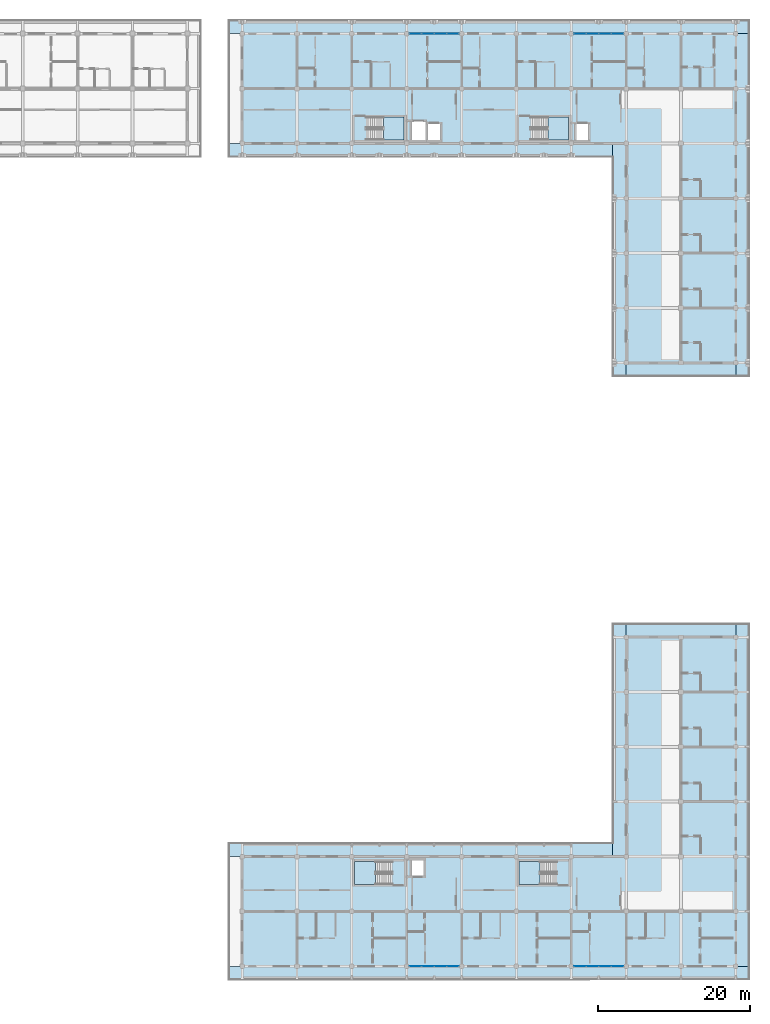
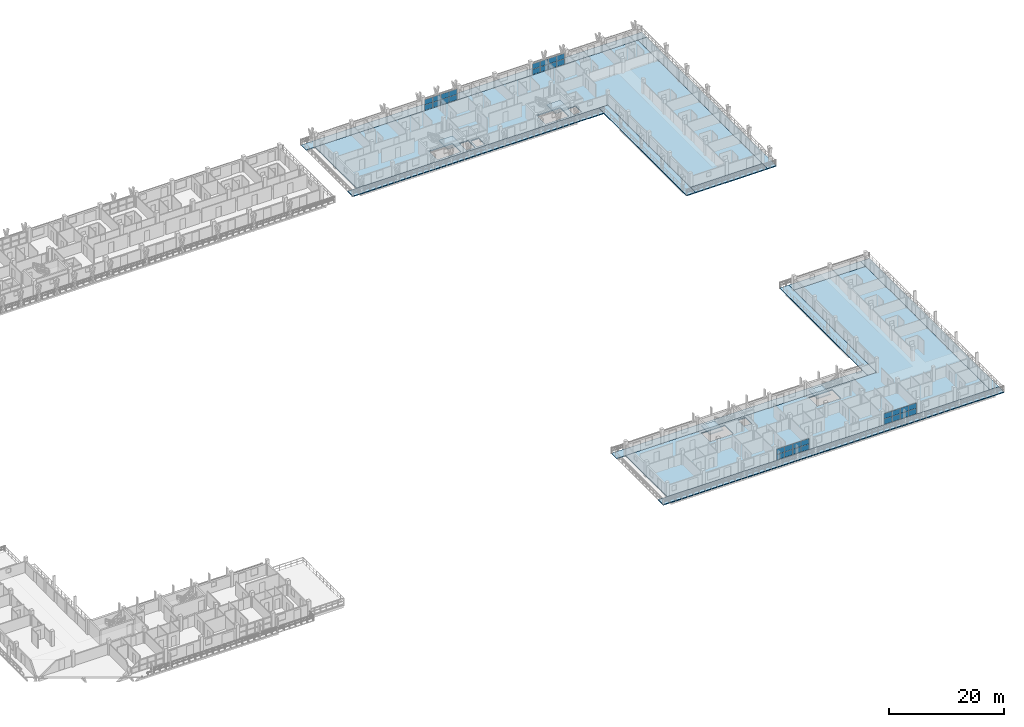
# One storey, part 37 of 78: 32 plates, 16 slabs, 8 elements without a shape of their own.
"""IFC4 building model written with IfcOpenShell, lengths in metres."""

from ifc_helpers import new_model, si_unit, direction, frame, origin, origin_2d, place, context, subcontext, project, spatial, polyline, rectangle, outline, extrude, material, layer, layer_set, type_object, element, aggregate, save


model = new_model("IFC4")

# Units and contexts
model_context = context("Model", 3, precision=1e-05, world=origin(), true_north=direction((0.0, 1.0)))
body_context = subcontext(model_context, "Body", "Model", "MODEL_VIEW")
ifc_project = project(units=[si_unit("LENGTHUNIT", "METRE"), si_unit("AREAUNIT", "SQUARE_METRE"), si_unit("VOLUMEUNIT", "CUBIC_METRE"), si_unit("PLANEANGLEUNIT", "RADIAN"), si_unit("MASSUNIT", "GRAM", prefix="KILO")], contexts=[model_context])

# Site, building, storey
site_placement = place(None, origin())
site = spatial("IfcSite", under=ifc_project, at=site_placement, CompositionType="ELEMENT")
building_placement = place(site_placement, origin())
building = spatial("IfcBuilding", under=site, at=building_placement, Name="Suanplinth Sawtooth Commons", CompositionType="ELEMENT")
storey_placement = place(building_placement, frame((0.0, 0.0, 15.39990234375)))
storey = spatial("IfcBuildingStorey", under=building, at=storey_placement, Name="L04", CompositionType="ELEMENT", Elevation=15.39990234375)

# Curtain wall, plates
ifc_material_1 = material(Name="Anodized aluminium and low-E glazing", Category="aluminium")
curtain_wall_type = type_object("IfcCurtainWallType", Name="CW-06", PredefinedType="USERDEFINED", material=ifc_material_1)
curtain_wall_1_placement = place(storey_placement, origin())
curtain_wall_1 = element("IfcCurtainWall", 1, at=curtain_wall_1_placement, inside=storey, type_object=curtain_wall_type, Name="Curtain Wall CW-L04-B-LOUNGE-20", ObjectType="CURTAIN WALL", PredefinedType="USERDEFINED")
ifc_material_2 = material(Name="Tempered low-E double glazing", Category="glass")
ifc_layer_1 = layer(ifc_material_2, 0.028076171875, Name="Vision low-E insulated glazing unit 28mm")
ifc_layer_set_1 = layer_set([ifc_layer_1], Name="Tempered low-E double glazing")
plate_type = type_object("IfcPlateType", Name="PL-05", PredefinedType="CURTAIN_PANEL", material=ifc_layer_set_1)
plate_1_placement = place(storey_placement, frame((145.141357421875, 122.39990234375, 0.06494140625), z_axis=(0.0, 0.0, 1.0), x_axis=(1.0, 0.0, 0.0)))
plate_1 = element("IfcPlate", 2, at=plate_1_placement, type_object=plate_type, Name="CW-06 panel 1.1", PredefinedType="CURTAIN_PANEL", context=body_context, shape_type="SweptSolid", body=[
    extrude(rectangle(XDim=1.552490234375, YDim=0.028076171875, at=origin_2d()), origin(), (0.0, 0.0, 1.0), 1.117431640625),
])
plate_2_placement = place(storey_placement, frame((145.141357421875, 122.39990234375, 1.24755859375), z_axis=(0.0, 0.0, 1.0), x_axis=(1.0, 0.0, 0.0)))
plate_2 = element("IfcPlate", 3, at=plate_2_placement, type_object=plate_type, Name="CW-06 panel 1.2", PredefinedType="CURTAIN_PANEL", context=body_context, shape_type="SweptSolid", body=[
    extrude(rectangle(XDim=1.552490234375, YDim=0.028076171875, at=origin_2d()), origin(), (0.0, 0.0, 1.0), 1.117431640625),
])
plate_3_placement = place(storey_placement, frame((146.77490234375, 122.39990234375, 0.06494140625), z_axis=(0.0, 0.0, 1.0), x_axis=(1.0, 0.0, 0.0)))
plate_3 = element("IfcPlate", 4, at=plate_3_placement, type_object=plate_type, Name="CW-06 panel 2.1", PredefinedType="CURTAIN_PANEL", context=body_context, shape_type="SweptSolid", body=[
    extrude(rectangle(XDim=1.5849609375, YDim=0.028076171875, at=origin_2d()), origin(), (0.0, 0.0, 1.0), 1.117431640625),
])
plate_4_placement = place(storey_placement, frame((146.77490234375, 122.39990234375, 1.24755859375), z_axis=(0.0, 0.0, 1.0), x_axis=(1.0, 0.0, 0.0)))
plate_4 = element("IfcPlate", 5, at=plate_4_placement, type_object=plate_type, Name="CW-06 panel 2.2", PredefinedType="CURTAIN_PANEL", context=body_context, shape_type="SweptSolid", body=[
    extrude(rectangle(XDim=1.5849609375, YDim=0.028076171875, at=origin_2d()), origin(), (0.0, 0.0, 1.0), 1.117431640625),
])
plate_5_placement = place(storey_placement, frame((148.425048828125, 122.39990234375, 0.06494140625), z_axis=(0.0, 0.0, 1.0), x_axis=(1.0, 0.0, 0.0)))
plate_5 = element("IfcPlate", 6, at=plate_5_placement, type_object=plate_type, Name="CW-06 panel 3.1", PredefinedType="CURTAIN_PANEL", context=body_context, shape_type="SweptSolid", body=[
    extrude(rectangle(XDim=1.5849609375, YDim=0.028076171875, at=origin_2d()), origin(), (0.0, 0.0, 1.0), 1.117431640625),
])
plate_6_placement = place(storey_placement, frame((148.425048828125, 122.39990234375, 1.24755859375), z_axis=(0.0, 0.0, 1.0), x_axis=(1.0, 0.0, 0.0)))
plate_6 = element("IfcPlate", 7, at=plate_6_placement, type_object=plate_type, Name="CW-06 panel 3.2", PredefinedType="CURTAIN_PANEL", context=body_context, shape_type="SweptSolid", body=[
    extrude(rectangle(XDim=1.5849609375, YDim=0.028076171875, at=origin_2d()), origin(), (0.0, 0.0, 1.0), 1.117431640625),
])
plate_7_placement = place(storey_placement, frame((150.058837890625, 122.39990234375, 0.06494140625), z_axis=(0.0, 0.0, 1.0), x_axis=(1.0, 0.0, 0.0)))
plate_7 = element("IfcPlate", 8, at=plate_7_placement, type_object=plate_type, Name="CW-06 panel 4.1", PredefinedType="CURTAIN_PANEL", context=body_context, shape_type="SweptSolid", body=[
    extrude(rectangle(XDim=1.552490234375, YDim=0.028076171875, at=origin_2d()), origin(), (0.0, 0.0, 1.0), 1.117431640625),
])
plate_8_placement = place(storey_placement, frame((150.058837890625, 122.39990234375, 1.24755859375), z_axis=(0.0, 0.0, 1.0), x_axis=(1.0, 0.0, 0.0)))
plate_8 = element("IfcPlate", 9, at=plate_8_placement, type_object=plate_type, Name="CW-06 panel 4.2", PredefinedType="CURTAIN_PANEL", context=body_context, shape_type="SweptSolid", body=[
    extrude(rectangle(XDim=1.552490234375, YDim=0.028076171875, at=origin_2d()), origin(), (0.0, 0.0, 1.0), 1.117431640625),
])
aggregate(curtain_wall_1, [plate_1, plate_2, plate_3, plate_4, plate_5, plate_6, plate_7, plate_8])

curtain_wall_2_placement = place(storey_placement, origin())
curtain_wall_2 = element("IfcCurtainWall", 10, at=curtain_wall_2_placement, inside=storey, type_object=curtain_wall_type, Name="Curtain Wall CW-L04-B-LOUNGE-23", ObjectType="CURTAIN WALL", PredefinedType="USERDEFINED")
plate_9_placement = place(storey_placement, frame((166.7412109375, 122.39990234375, 0.06494140625), z_axis=(0.0, 0.0, 1.0), x_axis=(1.0, 0.0, 0.0)))
plate_9 = element("IfcPlate", 11, at=plate_9_placement, type_object=plate_type, Name="CW-06 panel 1.1", PredefinedType="CURTAIN_PANEL", context=body_context, shape_type="SweptSolid", body=[
    extrude(rectangle(XDim=1.552490234375, YDim=0.028076171875, at=origin_2d()), origin(), (0.0, 0.0, 1.0), 1.117431640625),
])
plate_10_placement = place(storey_placement, frame((166.7412109375, 122.39990234375, 1.24755859375), z_axis=(0.0, 0.0, 1.0), x_axis=(1.0, 0.0, 0.0)))
plate_10 = element("IfcPlate", 12, at=plate_10_placement, type_object=plate_type, Name="CW-06 panel 1.2", PredefinedType="CURTAIN_PANEL", context=body_context, shape_type="SweptSolid", body=[
    extrude(rectangle(XDim=1.552490234375, YDim=0.028076171875, at=origin_2d()), origin(), (0.0, 0.0, 1.0), 1.117431640625),
])
plate_11_placement = place(storey_placement, frame((168.375, 122.39990234375, 0.06494140625), z_axis=(0.0, 0.0, 1.0), x_axis=(1.0, 0.0, 0.0)))
plate_11 = element("IfcPlate", 13, at=plate_11_placement, type_object=plate_type, Name="CW-06 panel 2.1", PredefinedType="CURTAIN_PANEL", context=body_context, shape_type="SweptSolid", body=[
    extrude(rectangle(XDim=1.5849609375, YDim=0.028076171875, at=origin_2d()), origin(), (0.0, 0.0, 1.0), 1.117431640625),
])
plate_12_placement = place(storey_placement, frame((168.375, 122.39990234375, 1.24755859375), z_axis=(0.0, 0.0, 1.0), x_axis=(1.0, 0.0, 0.0)))
plate_12 = element("IfcPlate", 14, at=plate_12_placement, type_object=plate_type, Name="CW-06 panel 2.2", PredefinedType="CURTAIN_PANEL", context=body_context, shape_type="SweptSolid", body=[
    extrude(rectangle(XDim=1.5849609375, YDim=0.028076171875, at=origin_2d()), origin(), (0.0, 0.0, 1.0), 1.117431640625),
])
plate_13_placement = place(storey_placement, frame((170.02490234375, 122.39990234375, 0.06494140625), z_axis=(0.0, 0.0, 1.0), x_axis=(1.0, 0.0, 0.0)))
plate_13 = element("IfcPlate", 15, at=plate_13_placement, type_object=plate_type, Name="CW-06 panel 3.1", PredefinedType="CURTAIN_PANEL", context=body_context, shape_type="SweptSolid", body=[
    extrude(rectangle(XDim=1.5849609375, YDim=0.028076171875, at=origin_2d()), origin(), (0.0, 0.0, 1.0), 1.117431640625),
])
plate_14_placement = place(storey_placement, frame((170.02490234375, 122.39990234375, 1.24755859375), z_axis=(0.0, 0.0, 1.0), x_axis=(1.0, 0.0, 0.0)))
plate_14 = element("IfcPlate", 16, at=plate_14_placement, type_object=plate_type, Name="CW-06 panel 3.2", PredefinedType="CURTAIN_PANEL", context=body_context, shape_type="SweptSolid", body=[
    extrude(rectangle(XDim=1.5849609375, YDim=0.028076171875, at=origin_2d()), origin(), (0.0, 0.0, 1.0), 1.117431640625),
])
plate_15_placement = place(storey_placement, frame((171.65869140625, 122.39990234375, 0.06494140625), z_axis=(0.0, 0.0, 1.0), x_axis=(1.0, 0.0, 0.0)))
plate_15 = element("IfcPlate", 17, at=plate_15_placement, type_object=plate_type, Name="CW-06 panel 4.1", PredefinedType="CURTAIN_PANEL", context=body_context, shape_type="SweptSolid", body=[
    extrude(rectangle(XDim=1.552490234375, YDim=0.028076171875, at=origin_2d()), origin(), (0.0, 0.0, 1.0), 1.117431640625),
])
plate_16_placement = place(storey_placement, frame((171.65869140625, 122.39990234375, 1.24755859375), z_axis=(0.0, 0.0, 1.0), x_axis=(1.0, 0.0, 0.0)))
plate_16 = element("IfcPlate", 18, at=plate_16_placement, type_object=plate_type, Name="CW-06 panel 4.2", PredefinedType="CURTAIN_PANEL", context=body_context, shape_type="SweptSolid", body=[
    extrude(rectangle(XDim=1.552490234375, YDim=0.028076171875, at=origin_2d()), origin(), (0.0, 0.0, 1.0), 1.117431640625),
])
aggregate(curtain_wall_2, [plate_9, plate_10, plate_11, plate_12, plate_13, plate_14, plate_15, plate_16])

curtain_wall_3_placement = place(storey_placement, origin())
curtain_wall_3 = element("IfcCurtainWall", 19, at=curtain_wall_3_placement, inside=storey, type_object=curtain_wall_type, Name="Curtain Wall CW-L04-C-LOUNGE-20", ObjectType="CURTAIN WALL", PredefinedType="USERDEFINED")
plate_17_placement = place(storey_placement, frame((145.141357421875, 0.0, 0.06494140625), z_axis=(0.0, 0.0, 1.0), x_axis=(1.0, 0.0, 0.0)))
plate_17 = element("IfcPlate", 20, at=plate_17_placement, type_object=plate_type, Name="CW-06 panel 1.1", PredefinedType="CURTAIN_PANEL", context=body_context, shape_type="SweptSolid", body=[
    extrude(rectangle(XDim=1.552490234375, YDim=0.028076171875, at=origin_2d()), origin(), (0.0, 0.0, 1.0), 1.117431640625),
])
plate_18_placement = place(storey_placement, frame((145.141357421875, 0.0, 1.24755859375), z_axis=(0.0, 0.0, 1.0), x_axis=(1.0, 0.0, 0.0)))
plate_18 = element("IfcPlate", 21, at=plate_18_placement, type_object=plate_type, Name="CW-06 panel 1.2", PredefinedType="CURTAIN_PANEL", context=body_context, shape_type="SweptSolid", body=[
    extrude(rectangle(XDim=1.552490234375, YDim=0.028076171875, at=origin_2d()), origin(), (0.0, 0.0, 1.0), 1.117431640625),
])
plate_19_placement = place(storey_placement, frame((146.77490234375, 0.0, 0.06494140625), z_axis=(0.0, 0.0, 1.0), x_axis=(1.0, 0.0, 0.0)))
plate_19 = element("IfcPlate", 22, at=plate_19_placement, type_object=plate_type, Name="CW-06 panel 2.1", PredefinedType="CURTAIN_PANEL", context=body_context, shape_type="SweptSolid", body=[
    extrude(rectangle(XDim=1.5849609375, YDim=0.028076171875, at=origin_2d()), origin(), (0.0, 0.0, 1.0), 1.117431640625),
])
plate_20_placement = place(storey_placement, frame((146.77490234375, 0.0, 1.24755859375), z_axis=(0.0, 0.0, 1.0), x_axis=(1.0, 0.0, 0.0)))
plate_20 = element("IfcPlate", 23, at=plate_20_placement, type_object=plate_type, Name="CW-06 panel 2.2", PredefinedType="CURTAIN_PANEL", context=body_context, shape_type="SweptSolid", body=[
    extrude(rectangle(XDim=1.5849609375, YDim=0.028076171875, at=origin_2d()), origin(), (0.0, 0.0, 1.0), 1.117431640625),
])
plate_21_placement = place(storey_placement, frame((148.425048828125, 0.0, 0.06494140625), z_axis=(0.0, 0.0, 1.0), x_axis=(1.0, 0.0, 0.0)))
plate_21 = element("IfcPlate", 24, at=plate_21_placement, type_object=plate_type, Name="CW-06 panel 3.1", PredefinedType="CURTAIN_PANEL", context=body_context, shape_type="SweptSolid", body=[
    extrude(rectangle(XDim=1.5849609375, YDim=0.028076171875, at=origin_2d()), origin(), (0.0, 0.0, 1.0), 1.117431640625),
])
plate_22_placement = place(storey_placement, frame((148.425048828125, 0.0, 1.24755859375), z_axis=(0.0, 0.0, 1.0), x_axis=(1.0, 0.0, 0.0)))
plate_22 = element("IfcPlate", 25, at=plate_22_placement, type_object=plate_type, Name="CW-06 panel 3.2", PredefinedType="CURTAIN_PANEL", context=body_context, shape_type="SweptSolid", body=[
    extrude(rectangle(XDim=1.5849609375, YDim=0.028076171875, at=origin_2d()), origin(), (0.0, 0.0, 1.0), 1.117431640625),
])
plate_23_placement = place(storey_placement, frame((150.058837890625, 0.0, 0.06494140625), z_axis=(0.0, 0.0, 1.0), x_axis=(1.0, 0.0, 0.0)))
plate_23 = element("IfcPlate", 26, at=plate_23_placement, type_object=plate_type, Name="CW-06 panel 4.1", PredefinedType="CURTAIN_PANEL", context=body_context, shape_type="SweptSolid", body=[
    extrude(rectangle(XDim=1.552490234375, YDim=0.028076171875, at=origin_2d()), origin(), (0.0, 0.0, 1.0), 1.117431640625),
])
plate_24_placement = place(storey_placement, frame((150.058837890625, 0.0, 1.24755859375), z_axis=(0.0, 0.0, 1.0), x_axis=(1.0, 0.0, 0.0)))
plate_24 = element("IfcPlate", 27, at=plate_24_placement, type_object=plate_type, Name="CW-06 panel 4.2", PredefinedType="CURTAIN_PANEL", context=body_context, shape_type="SweptSolid", body=[
    extrude(rectangle(XDim=1.552490234375, YDim=0.028076171875, at=origin_2d()), origin(), (0.0, 0.0, 1.0), 1.117431640625),
])
aggregate(curtain_wall_3, [plate_17, plate_18, plate_19, plate_20, plate_21, plate_22, plate_23, plate_24])

curtain_wall_4_placement = place(storey_placement, origin())
curtain_wall_4 = element("IfcCurtainWall", 28, at=curtain_wall_4_placement, inside=storey, type_object=curtain_wall_type, Name="Curtain Wall CW-L04-C-LOUNGE-23", ObjectType="CURTAIN WALL", PredefinedType="USERDEFINED")
plate_25_placement = place(storey_placement, frame((166.7412109375, 0.0, 0.06494140625), z_axis=(0.0, 0.0, 1.0), x_axis=(1.0, 0.0, 0.0)))
plate_25 = element("IfcPlate", 29, at=plate_25_placement, type_object=plate_type, Name="CW-06 panel 1.1", PredefinedType="CURTAIN_PANEL", context=body_context, shape_type="SweptSolid", body=[
    extrude(rectangle(XDim=1.552490234375, YDim=0.028076171875, at=origin_2d()), origin(), (0.0, 0.0, 1.0), 1.117431640625),
])
plate_26_placement = place(storey_placement, frame((166.7412109375, 0.0, 1.24755859375), z_axis=(0.0, 0.0, 1.0), x_axis=(1.0, 0.0, 0.0)))
plate_26 = element("IfcPlate", 30, at=plate_26_placement, type_object=plate_type, Name="CW-06 panel 1.2", PredefinedType="CURTAIN_PANEL", context=body_context, shape_type="SweptSolid", body=[
    extrude(rectangle(XDim=1.552490234375, YDim=0.028076171875, at=origin_2d()), origin(), (0.0, 0.0, 1.0), 1.117431640625),
])
plate_27_placement = place(storey_placement, frame((168.375, 0.0, 0.06494140625), z_axis=(0.0, 0.0, 1.0), x_axis=(1.0, 0.0, 0.0)))
plate_27 = element("IfcPlate", 31, at=plate_27_placement, type_object=plate_type, Name="CW-06 panel 2.1", PredefinedType="CURTAIN_PANEL", context=body_context, shape_type="SweptSolid", body=[
    extrude(rectangle(XDim=1.5849609375, YDim=0.028076171875, at=origin_2d()), origin(), (0.0, 0.0, 1.0), 1.117431640625),
])
plate_28_placement = place(storey_placement, frame((168.375, 0.0, 1.24755859375), z_axis=(0.0, 0.0, 1.0), x_axis=(1.0, 0.0, 0.0)))
plate_28 = element("IfcPlate", 32, at=plate_28_placement, type_object=plate_type, Name="CW-06 panel 2.2", PredefinedType="CURTAIN_PANEL", context=body_context, shape_type="SweptSolid", body=[
    extrude(rectangle(XDim=1.5849609375, YDim=0.028076171875, at=origin_2d()), origin(), (0.0, 0.0, 1.0), 1.117431640625),
])
plate_29_placement = place(storey_placement, frame((170.02490234375, 0.0, 0.06494140625), z_axis=(0.0, 0.0, 1.0), x_axis=(1.0, 0.0, 0.0)))
plate_29 = element("IfcPlate", 33, at=plate_29_placement, type_object=plate_type, Name="CW-06 panel 3.1", PredefinedType="CURTAIN_PANEL", context=body_context, shape_type="SweptSolid", body=[
    extrude(rectangle(XDim=1.5849609375, YDim=0.028076171875, at=origin_2d()), origin(), (0.0, 0.0, 1.0), 1.117431640625),
])
plate_30_placement = place(storey_placement, frame((170.02490234375, 0.0, 1.24755859375), z_axis=(0.0, 0.0, 1.0), x_axis=(1.0, 0.0, 0.0)))
plate_30 = element("IfcPlate", 34, at=plate_30_placement, type_object=plate_type, Name="CW-06 panel 3.2", PredefinedType="CURTAIN_PANEL", context=body_context, shape_type="SweptSolid", body=[
    extrude(rectangle(XDim=1.5849609375, YDim=0.028076171875, at=origin_2d()), origin(), (0.0, 0.0, 1.0), 1.117431640625),
])
plate_31_placement = place(storey_placement, frame((171.65869140625, 0.0, 0.06494140625), z_axis=(0.0, 0.0, 1.0), x_axis=(1.0, 0.0, 0.0)))
plate_31 = element("IfcPlate", 35, at=plate_31_placement, type_object=plate_type, Name="CW-06 panel 4.1", PredefinedType="CURTAIN_PANEL", context=body_context, shape_type="SweptSolid", body=[
    extrude(rectangle(XDim=1.552490234375, YDim=0.028076171875, at=origin_2d()), origin(), (0.0, 0.0, 1.0), 1.117431640625),
])
plate_32_placement = place(storey_placement, frame((171.65869140625, 0.0, 1.24755859375), z_axis=(0.0, 0.0, 1.0), x_axis=(1.0, 0.0, 0.0)))
plate_32 = element("IfcPlate", 36, at=plate_32_placement, type_object=plate_type, Name="CW-06 panel 4.2", PredefinedType="CURTAIN_PANEL", context=body_context, shape_type="SweptSolid", body=[
    extrude(rectangle(XDim=1.552490234375, YDim=0.028076171875, at=origin_2d()), origin(), (0.0, 0.0, 1.0), 1.117431640625),
])
aggregate(curtain_wall_4, [plate_25, plate_26, plate_27, plate_28, plate_29, plate_30, plate_31, plate_32])

# Slabs
ifc_material_3 = material(Name="Precast concrete C40/50", Category="concrete")
ifc_layer_2 = layer(ifc_material_3, 0.179931640625, Name="Wrap-around cantilevered precast balcony slab 180mm")
ifc_layer_set_2 = layer_set([ifc_layer_2], Name="Precast concrete C40/50")
slab_type_1 = type_object("IfcSlabType", Name="S-BL01", PredefinedType="FLOOR", material=ifc_layer_set_2)
slab_1_placement = place(storey_placement, frame((0.0, 0.0, -0.179931640625)))
element("IfcSlab", 37, at=slab_1_placement, inside=storey, type_object=slab_type_1, Name="L04 Block B Wrap-Around Balcony N", PredefinedType="FLOOR", context=body_context, shape_type="SweptSolid", body=[
    extrude(outline(polyline([(120.60009765625, 122.39990234375), (120.60009765625, 124.199951171875), (189.0, 124.199951171875), (189.0, 122.39990234375), (120.60009765625, 122.39990234375)])), origin(), (0.0, 0.0, 1.0), 0.179931640625),
])
slab_2_placement = place(storey_placement, frame((0.0, 0.0, -0.179931640625)))
element("IfcSlab", 38, at=slab_2_placement, inside=storey, type_object=slab_type_1, Name="L04 Block B Wrap-Around Balcony E", PredefinedType="FLOOR", context=body_context, shape_type="SweptSolid", body=[
    extrude(outline(polyline([(189.0, 122.39990234375), (189.0, 77.39990234375), (187.199951171875, 77.39990234375), (187.199951171875, 122.39990234375), (189.0, 122.39990234375)])), origin(), (0.0, 0.0, 1.0), 0.179931640625),
])
slab_3_placement = place(storey_placement, frame((0.0, 0.0, -0.179931640625)))
element("IfcSlab", 39, at=slab_3_placement, inside=storey, type_object=slab_type_1, Name="L04 Block B Wrap-Around Balcony SEND", PredefinedType="FLOOR", context=body_context, shape_type="SweptSolid", body=[
    extrude(outline(polyline([(187.199951171875, 77.39990234375), (172.800048828125, 77.39990234375), (172.800048828125, 79.199951171875), (187.199951171875, 79.199951171875), (187.199951171875, 77.39990234375)])), origin(), (0.0, 0.0, 1.0), 0.179931640625),
])
slab_4_placement = place(storey_placement, frame((0.0, 0.0, -0.179931640625)))
element("IfcSlab", 40, at=slab_4_placement, inside=storey, type_object=slab_type_1, Name="L04 Block C Wrap-Around Balcony S", PredefinedType="FLOOR", context=body_context, shape_type="SweptSolid", body=[
    extrude(outline(polyline([(189.0, 0.0), (189.0, -1.800048828125), (120.60009765625, -1.800048828125), (120.60009765625, 0.0), (189.0, 0.0)])), origin(), (0.0, 0.0, 1.0), 0.179931640625),
])
slab_5_placement = place(storey_placement, frame((0.0, 0.0, -0.179931640625)))
element("IfcSlab", 41, at=slab_5_placement, inside=storey, type_object=slab_type_1, Name="L04 Block C Wrap-Around Balcony E", PredefinedType="FLOOR", context=body_context, shape_type="SweptSolid", body=[
    extrude(outline(polyline([(187.199951171875, 45.0), (189.0, 45.0), (189.0, 0.0), (187.199951171875, 0.0), (187.199951171875, 45.0)])), origin(), (0.0, 0.0, 1.0), 0.179931640625),
])
slab_6_placement = place(storey_placement, frame((0.0, 0.0, -0.179931640625)))
element("IfcSlab", 42, at=slab_6_placement, inside=storey, type_object=slab_type_1, Name="L04 Block C Wrap-Around Balcony NEND", PredefinedType="FLOOR", context=body_context, shape_type="SweptSolid", body=[
    extrude(outline(polyline([(172.800048828125, 45.0), (187.199951171875, 45.0), (187.199951171875, 43.199951171875), (172.800048828125, 43.199951171875), (172.800048828125, 45.0)])), origin(), (0.0, 0.0, 1.0), 0.179931640625),
])
ifc_layer_3 = layer(ifc_material_3, 0.175048828125, Name="Courtyard cantilevered precast balcony slab 175mm")
ifc_layer_set_3 = layer_set([ifc_layer_3], Name="Precast concrete C40/50")
slab_type_2 = type_object("IfcSlabType", Name="S-BL02", PredefinedType="FLOOR", material=ifc_layer_set_3)
slab_7_placement = place(storey_placement, frame((0.0, 0.0, -0.1748046875)))
element("IfcSlab", 43, at=slab_7_placement, inside=storey, type_object=slab_type_2, Name="L04 Block B Wrap-Around Balcony SC", PredefinedType="FLOOR", context=body_context, shape_type="SweptSolid", body=[
    extrude(outline(polyline([(171.0, 106.199951171875), (120.60009765625, 106.199951171875), (120.60009765625, 108.0), (171.0, 108.0), (171.0, 106.199951171875)])), origin(), (0.0, 0.0, 1.0), 0.1748046875),
])
slab_8_placement = place(storey_placement, frame((0.0, 0.0, -0.1748046875)))
element("IfcSlab", 44, at=slab_8_placement, inside=storey, type_object=slab_type_2, Name="L04 Block B Wrap-Around Balcony WC", PredefinedType="FLOOR", context=body_context, shape_type="SweptSolid", body=[
    extrude(outline(polyline([(172.800048828125, 77.39990234375), (171.0, 77.39990234375), (171.0, 108.0), (172.800048828125, 108.0), (172.800048828125, 77.39990234375)])), origin(), (0.0, 0.0, 1.0), 0.1748046875),
])
slab_9_placement = place(storey_placement, frame((0.0, 0.0, -0.1748046875)))
element("IfcSlab", 45, at=slab_9_placement, inside=storey, type_object=slab_type_2, Name="L04 Block C Wrap-Around Balcony NC", PredefinedType="FLOOR", context=body_context, shape_type="SweptSolid", body=[
    extrude(outline(polyline([(120.60009765625, 14.39990234375), (120.60009765625, 16.199951171875), (171.0, 16.199951171875), (171.0, 14.39990234375), (120.60009765625, 14.39990234375)])), origin(), (0.0, 0.0, 1.0), 0.1748046875),
])
slab_10_placement = place(storey_placement, frame((0.0, 0.0, -0.1748046875)))
element("IfcSlab", 46, at=slab_10_placement, inside=storey, type_object=slab_type_2, Name="L04 Block C Wrap-Around Balcony WC", PredefinedType="FLOOR", context=body_context, shape_type="SweptSolid", body=[
    extrude(outline(polyline([(172.800048828125, 14.39990234375), (171.0, 14.39990234375), (171.0, 45.0), (172.800048828125, 45.0), (172.800048828125, 14.39990234375)])), origin(), (0.0, 0.0, 1.0), 0.1748046875),
])
ifc_layer_4 = layer(ifc_material_3, 0.219970703125, Name="Precast hollow-core + topping floor slab 220mm")
ifc_layer_set_4 = layer_set([ifc_layer_4], Name="Precast concrete C40/50")
slab_type_3 = type_object("IfcSlabType", Name="S-FL03", PredefinedType="FLOOR", material=ifc_layer_set_4)
slab_11_placement = place(storey_placement, frame((0.0, 0.0, -0.219970703125)))
element("IfcSlab", 47, at=slab_11_placement, inside=storey, type_object=slab_type_3, Name="L04 Block B Structural Floor Plate", PredefinedType="FLOOR", context=body_context, shape_type="SweptSolid", body=[
    extrude(outline(polyline([(172.800048828125, 108.0), (122.39990234375, 108.0), (122.39990234375, 122.39990234375), (187.199951171875, 122.39990234375), (187.199951171875, 79.199951171875), (172.800048828125, 79.199951171875), (172.800048828125, 108.0)]), holes=[polyline([(138.889892578125, 108.449951171875), (143.64990234375, 108.449951171875), (143.64990234375, 111.449951171875), (138.889892578125, 111.449951171875), (138.889892578125, 108.449951171875)]), polyline([(144.64990234375, 108.449951171875), (146.449951171875, 108.449951171875), (146.449951171875, 110.85009765625), (144.64990234375, 110.85009765625), (144.64990234375, 108.449951171875)]), polyline([(146.800048828125, 108.449951171875), (148.39990234375, 108.449951171875), (148.39990234375, 110.550048828125), (146.800048828125, 110.550048828125), (146.800048828125, 108.449951171875)]), polyline([(160.489990234375, 108.449951171875), (165.25, 108.449951171875), (165.25, 111.449951171875), (160.489990234375, 111.449951171875), (160.489990234375, 108.449951171875)]), polyline([(166.25, 108.449951171875), (167.85009765625, 108.449951171875), (167.85009765625, 110.550048828125), (166.25, 110.550048828125), (166.25, 108.449951171875)])]), origin(), (0.0, 0.0, 1.0), 0.219970703125),
])
slab_12_placement = place(storey_placement, frame((0.0, 0.0, -0.219970703125)))
element("IfcSlab", 48, at=slab_12_placement, inside=storey, type_object=slab_type_3, Name="L04 Block C Structural Floor Plate", PredefinedType="FLOOR", context=body_context, shape_type="SweptSolid", body=[
    extrude(outline(polyline([(187.199951171875, 0.0), (122.39990234375, 0.0), (122.39990234375, 14.39990234375), (172.800048828125, 14.39990234375), (172.800048828125, 43.199951171875), (187.199951171875, 43.199951171875), (187.199951171875, 0.0)]), holes=[polyline([(137.14990234375, 10.75), (141.909912109375, 10.75), (141.909912109375, 13.75), (137.14990234375, 13.75), (137.14990234375, 10.75)]), polyline([(144.64990234375, 11.85009765625), (146.25, 11.85009765625), (146.25, 13.949951171875), (144.64990234375, 13.949951171875), (144.64990234375, 11.85009765625)]), polyline([(158.75, 10.75), (163.510009765625, 10.75), (163.510009765625, 13.75), (158.75, 13.75), (158.75, 10.75)])]), origin(), (0.0, 0.0, 1.0), 0.219970703125),
])

# Stair, slab
ifc_material_4 = material(Name="Concrete C40/50", Category="concrete")
stair_type = type_object("IfcStairType", Name="ST-07", PredefinedType="USERDEFINED", material=ifc_material_4)
stair_1_placement = place(storey_placement, origin())
stair_1 = element("IfcStair", 49, at=stair_1_placement, inside=storey, type_object=stair_type, Name="L04 Exit Stair ST-E1", ObjectType="TWO_RETURN_STAIR", PredefinedType="USERDEFINED")
ifc_layer_5 = layer(ifc_material_4, 0.199951171875, Name="Reinforced concrete stair and ramp landing slab 200mm")
ifc_layer_set_5 = layer_set([ifc_layer_5], Name="Concrete C40/50")
slab_type_4 = type_object("IfcSlabType", Name="S-LD01", PredefinedType="LANDING", material=ifc_layer_set_5)
slab_13_placement = place(storey_placement, frame((0.0, 0.0, 1.400146484375)))
slab_13 = element("IfcSlab", 50, at=slab_13_placement, type_object=slab_type_4, Name="ST-07 landing 1", PredefinedType="LANDING", context=body_context, shape_type="SweptSolid", body=[
    extrude(outline(polyline([(140.929931640625, 108.449951171875), (143.64990234375, 108.449951171875), (143.64990234375, 111.449951171875), (140.929931640625, 111.449951171875), (140.929931640625, 108.449951171875)])), origin(), (0.0, 0.0, 1.0), 0.199951171875),
])
aggregate(stair_1, [slab_13])

stair_2_placement = place(storey_placement, origin())
stair_2 = element("IfcStair", 51, at=stair_2_placement, inside=storey, type_object=stair_type, Name="L04 Exit Stair ST-E2", ObjectType="TWO_RETURN_STAIR", PredefinedType="USERDEFINED")
slab_14_placement = place(storey_placement, frame((0.0, 0.0, 1.400146484375)))
slab_14 = element("IfcSlab", 52, at=slab_14_placement, type_object=slab_type_4, Name="ST-07 landing 1", PredefinedType="LANDING", context=body_context, shape_type="SweptSolid", body=[
    extrude(outline(polyline([(162.530029296875, 108.449951171875), (165.25, 108.449951171875), (165.25, 111.449951171875), (162.530029296875, 111.449951171875), (162.530029296875, 108.449951171875)])), origin(), (0.0, 0.0, 1.0), 0.199951171875),
])
aggregate(stair_2, [slab_14])

stair_3_placement = place(storey_placement, origin())
stair_3 = element("IfcStair", 53, at=stair_3_placement, inside=storey, type_object=stair_type, Name="L04 Exit Stair ST-S1", ObjectType="TWO_RETURN_STAIR", PredefinedType="USERDEFINED")
slab_15_placement = place(storey_placement, frame((0.0, 0.0, 1.400146484375)))
slab_15 = element("IfcSlab", 54, at=slab_15_placement, type_object=slab_type_4, Name="ST-07 landing 1", PredefinedType="LANDING", context=body_context, shape_type="SweptSolid", body=[
    extrude(outline(polyline([(139.8701171875, 13.75), (137.14990234375, 13.75), (137.14990234375, 10.75), (139.8701171875, 10.75), (139.8701171875, 13.75)])), origin(), (0.0, 0.0, 1.0), 0.199951171875),
])
aggregate(stair_3, [slab_15])

stair_4_placement = place(storey_placement, origin())
stair_4 = element("IfcStair", 55, at=stair_4_placement, inside=storey, type_object=stair_type, Name="L04 Exit Stair ST-S2", ObjectType="TWO_RETURN_STAIR", PredefinedType="USERDEFINED")
slab_16_placement = place(storey_placement, frame((0.0, 0.0, 1.400146484375)))
slab_16 = element("IfcSlab", 56, at=slab_16_placement, type_object=slab_type_4, Name="ST-07 landing 1", PredefinedType="LANDING", context=body_context, shape_type="SweptSolid", body=[
    extrude(outline(polyline([(161.469970703125, 13.75), (158.75, 13.75), (158.75, 10.75), (161.469970703125, 10.75), (161.469970703125, 13.75)])), origin(), (0.0, 0.0, 1.0), 0.199951171875),
])
aggregate(stair_4, [slab_16])

save(model, "model.ifc")
